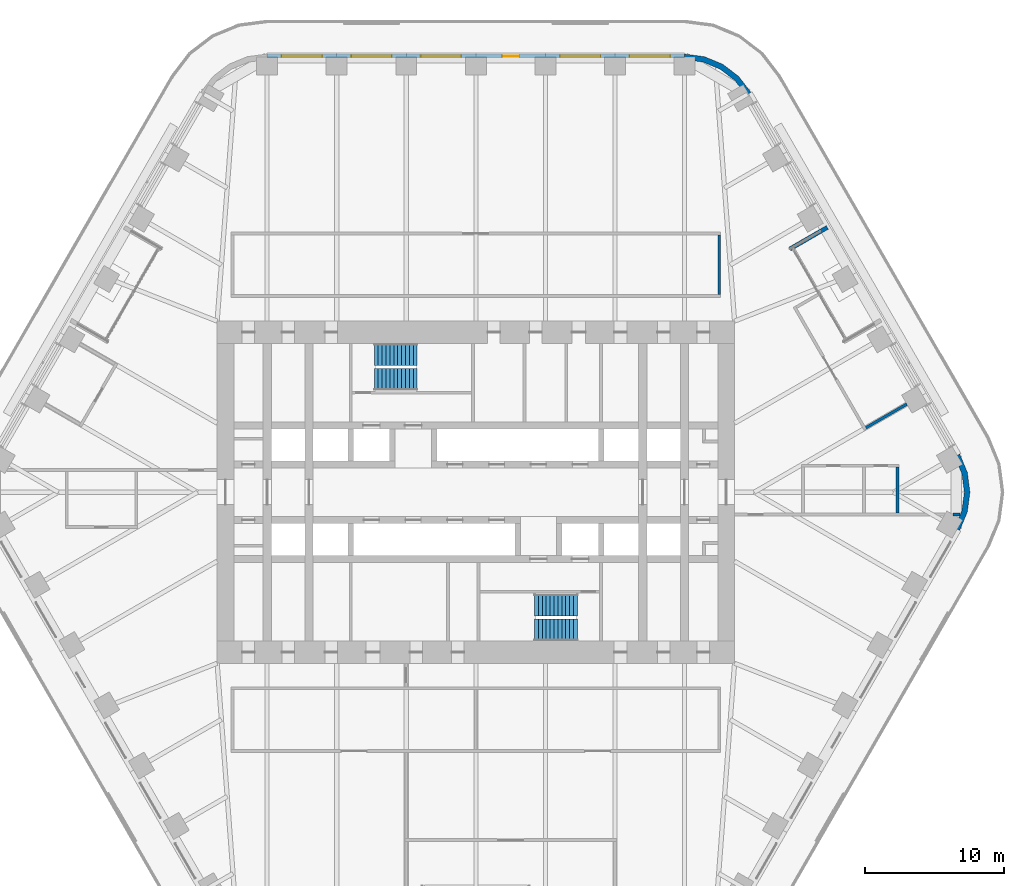
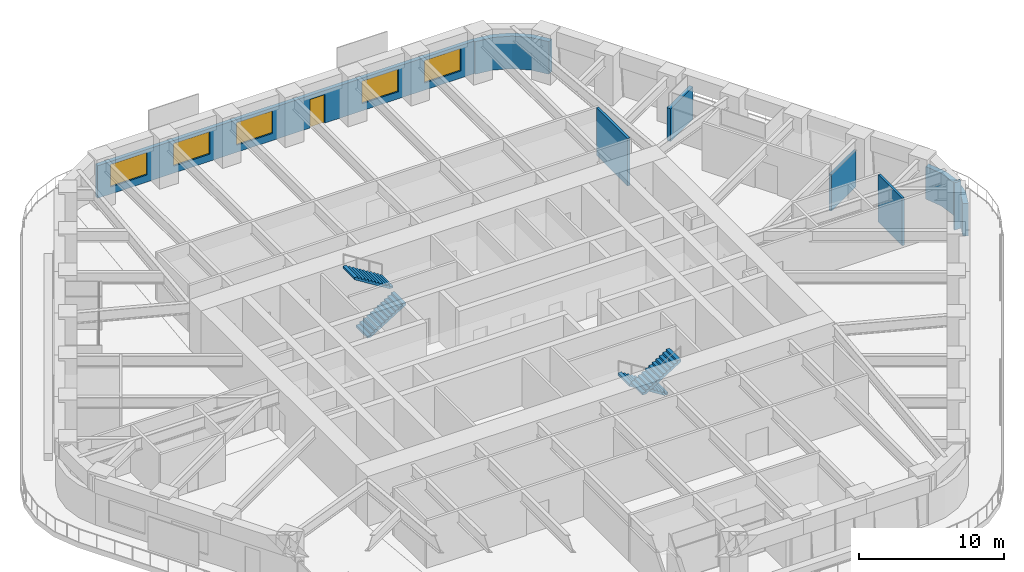
# One storey, part 21 of 24: 8 walls, 5 windows, 4 stair flights, 1 door, 6 openings, 2 elements without a shape of their own.
"""IFC4 building model written with IfcOpenShell, lengths in metres."""

from ifc_helpers import new_model, si_unit, direction, frame, frame_2d, origin, place, context, subcontext, project, spatial, polyline, rectangle, outline, extrude, material, layer, layer_set, type_object, element, fill, aggregate, save


model = new_model("IFC4")

# Units and contexts
model_context = context("Model", 3, precision=1e-05, world=origin(), true_north=direction((0.0, 1.0)))
body_context = subcontext(model_context, "Body", "Model", "MODEL_VIEW")
ifc_project = project(units=[si_unit("LENGTHUNIT", "METRE"), si_unit("AREAUNIT", "SQUARE_METRE"), si_unit("VOLUMEUNIT", "CUBIC_METRE"), si_unit("PLANEANGLEUNIT", "RADIAN"), si_unit("MASSUNIT", "GRAM", prefix="KILO")], contexts=[model_context])

# Site, building, storey
site_placement = place(None, origin())
site = spatial("IfcSite", under=ifc_project, at=site_placement, CompositionType="ELEMENT")
building_placement = place(site_placement, origin())
building = spatial("IfcBuilding", under=site, at=building_placement, Name="Tarfa Lantern Tower", CompositionType="ELEMENT")
storey_placement = place(building_placement, frame((0.0, 0.0, 182.5)))
storey = spatial("IfcBuildingStorey", under=building, at=storey_placement, Name="L41", CompositionType="ELEMENT", Elevation=182.5)

# Wall
ifc_material_1 = material(Name="Limestone cladding on blockwork", Category="masonry")
ifc_layer_1 = layer(ifc_material_1, 0.300048828125)
ifc_layer_set_1 = layer_set([ifc_layer_1], Name="EW1 STONE-CLAD WALL 300")
wall_type_1 = type_object("IfcWallType", Name="EW1 STONE-CLAD WALL 300", PredefinedType="SOLIDWALL", material=ifc_layer_set_1)
wall_1_placement = place(storey_placement, frame((25.266357421875, 19.037353515625, 0.0), z_axis=(0.0, 0.0, 1.0), x_axis=(-0.86600983753, -0.500026960575, 0.0)))
element("IfcWall", 1, at=wall_1_placement, inside=storey, type_object=wall_type_1, Name="Loggia return NE 2", PredefinedType="SOLIDWALL", context=body_context, shape_type="SweptSolid", body=[
    extrude(rectangle(XDim=3.099853515625, YDim=0.300048828125, at=frame_2d((1.5498046875, 0.0))), origin(), (0.0, 0.0, 1.0), 2.75),
])

# Wall, openings, door, windows
wall_2_placement = place(storey_placement, frame((15.010986328125, 31.35009765625, 0.0), z_axis=(0.0, 0.0, 1.0), x_axis=(-1.0, 0.0, 0.0)))
wall_2 = element("IfcWall", 2, at=wall_2_placement, inside=storey, type_object=wall_type_1, Name="Stone wall N", PredefinedType="SOLIDWALL", context=body_context, shape_type="SweptSolid", body=[
    extrude(rectangle(XDim=30.02197265625, YDim=0.300048828125, at=frame_2d((15.010986328125, 0.0))), origin(), (0.0, 0.0, 1.0), 2.75),
])
opening_1_placement = place(wall_2_placement, frame((1.0517578125, 0.0, 0.60009765625)))
opening_1 = element("IfcOpeningElement", 3, at=opening_1_placement, cuts=wall_2, Name="Opening W9", PredefinedType="OPENING", context=body_context, shape_type="SweptSolid", body=[
    extrude(rectangle(XDim=2.89990234375, YDim=1.89990234375, at=frame_2d((1.449951171875, 0.949951171875))), frame((0.0, 0.159912109375, 0.0), z_axis=(0.0, -1.0, 0.0), x_axis=(1.0, 0.0, 0.0)), (0.0, 0.0, 1.0), 0.320068359375),
])
opening_2_placement = place(wall_2_placement, frame((6.0556640625, 0.0, 0.60009765625)))
opening_2 = element("IfcOpeningElement", 4, at=opening_2_placement, cuts=wall_2, Name="Opening W9", PredefinedType="OPENING", context=body_context, shape_type="SweptSolid", body=[
    extrude(rectangle(XDim=2.89990234375, YDim=1.89990234375, at=frame_2d((1.449951171875, 0.949951171875))), frame((0.0, 0.159912109375, 0.0), z_axis=(0.0, -1.0, 0.0), x_axis=(1.0, 0.0, 0.0)), (0.0, 0.0, 1.0), 0.320068359375),
])
opening_3_placement = place(wall_2_placement, frame((11.9091796875, 0.0, 0.0)))
opening_3 = element("IfcOpeningElement", 5, at=opening_3_placement, cuts=wall_2, Name="Opening D45", PredefinedType="OPENING", context=body_context, shape_type="SweptSolid", body=[
    extrude(rectangle(XDim=1.199951171875, YDim=2.39990234375, at=frame_2d((0.60009765625, 1.199951171875))), frame((0.0, 0.159912109375, 0.0), z_axis=(0.0, -1.0, 0.0), x_axis=(1.0, 0.0, 0.0)), (0.0, 0.0, 1.0), 0.320068359375),
])
opening_4_placement = place(wall_2_placement, frame((16.06298828125, 0.0, 0.60009765625)))
opening_4 = element("IfcOpeningElement", 6, at=opening_4_placement, cuts=wall_2, Name="Opening W9", PredefinedType="OPENING", context=body_context, shape_type="SweptSolid", body=[
    extrude(rectangle(XDim=2.89990234375, YDim=1.89990234375, at=frame_2d((1.449951171875, 0.949951171875))), frame((0.0, 0.159912109375, 0.0), z_axis=(0.0, -1.0, 0.0), x_axis=(1.0, 0.0, 0.0)), (0.0, 0.0, 1.0), 0.320068359375),
])
opening_5_placement = place(wall_2_placement, frame((21.066650390625, 0.0, 0.60009765625)))
opening_5 = element("IfcOpeningElement", 7, at=opening_5_placement, cuts=wall_2, Name="Opening W9", PredefinedType="OPENING", context=body_context, shape_type="SweptSolid", body=[
    extrude(rectangle(XDim=2.89990234375, YDim=1.89990234375, at=frame_2d((1.449951171875, 0.949951171875))), frame((0.0, 0.159912109375, 0.0), z_axis=(0.0, -1.0, 0.0), x_axis=(1.0, 0.0, 0.0)), (0.0, 0.0, 1.0), 0.320068359375),
])
opening_6_placement = place(wall_2_placement, frame((26.0703125, 0.0, 0.60009765625)))
opening_6 = element("IfcOpeningElement", 8, at=opening_6_placement, cuts=wall_2, Name="Opening W9", PredefinedType="OPENING", context=body_context, shape_type="SweptSolid", body=[
    extrude(rectangle(XDim=2.89990234375, YDim=1.89990234375, at=frame_2d((1.449951171875, 0.949951171875))), frame((0.0, 0.159912109375, 0.0), z_axis=(0.0, -1.0, 0.0), x_axis=(1.0, 0.0, 0.0)), (0.0, 0.0, 1.0), 0.320068359375),
])
ifc_material_2 = material(Name="Aluminium framed glazed door", Category="aluminium")
door_type = type_object("IfcDoorType", Name="BE3 BALCONY DOOR 1200x2400", OperationType="SINGLE_SWING_RIGHT", PredefinedType="DOOR", material=ifc_material_2)
door_placement = place(opening_3_placement, origin())
door = element("IfcDoor", 9, at=door_placement, inside=storey, type_object=door_type, Name="Balcony door N", OperationType="SINGLE_SWING_RIGHT", OverallHeight=2.39990234375, OverallWidth=1.199951171875, PredefinedType="DOOR", context=body_context, shape_type="SweptSolid", body=[
    extrude(rectangle(XDim=1.199951171875, YDim=2.39990234375, at=frame_2d((0.60009765625, 1.199951171875))), frame((0.0, 0.02490234375, 0.0), z_axis=(0.0, -1.0, 0.0), x_axis=(1.0, 0.0, 0.0)), (0.0, 0.0, 1.0), 0.050048828125),
])
fill(opening_3, door)
ifc_material_3 = material(Name="Aluminium frame, double glazed", Category="aluminium")
window_type = type_object("IfcWindowType", Name="W9 FULL-HEIGHT GLAZING 2900x1900", PartitioningType="SINGLE_PANEL", PredefinedType="WINDOW", material=ifc_material_3)
window_1_placement = place(opening_1_placement, origin())
window_1 = element("IfcWindow", 10, at=window_1_placement, inside=storey, type_object=window_type, Name="Window N 1", OverallHeight=1.89990234375, OverallWidth=2.89990234375, PartitioningType="SINGLE_PANEL", PredefinedType="WINDOW", context=body_context, shape_type="SweptSolid", body=[
    extrude(rectangle(XDim=2.89990234375, YDim=1.89990234375, at=frame_2d((1.449951171875, 0.949951171875))), frame((0.0, 0.030029296875, 0.0), z_axis=(0.0, -1.0, 0.0), x_axis=(1.0, 0.0, 0.0)), (0.0, 0.0, 1.0), 0.06005859375),
])
fill(opening_1, window_1)
window_2_placement = place(opening_2_placement, origin())
window_2 = element("IfcWindow", 11, at=window_2_placement, inside=storey, type_object=window_type, Name="Window N 2", OverallHeight=1.89990234375, OverallWidth=2.89990234375, PartitioningType="SINGLE_PANEL", PredefinedType="WINDOW", context=body_context, shape_type="SweptSolid", body=[
    extrude(rectangle(XDim=2.89990234375, YDim=1.89990234375, at=frame_2d((1.449951171875, 0.949951171875))), frame((0.0, 0.030029296875, 0.0), z_axis=(0.0, -1.0, 0.0), x_axis=(1.0, 0.0, 0.0)), (0.0, 0.0, 1.0), 0.06005859375),
])
fill(opening_2, window_2)
window_3_placement = place(opening_4_placement, origin())
window_3 = element("IfcWindow", 12, at=window_3_placement, inside=storey, type_object=window_type, Name="Window N 4", OverallHeight=1.89990234375, OverallWidth=2.89990234375, PartitioningType="SINGLE_PANEL", PredefinedType="WINDOW", context=body_context, shape_type="SweptSolid", body=[
    extrude(rectangle(XDim=2.89990234375, YDim=1.89990234375, at=frame_2d((1.449951171875, 0.949951171875))), frame((0.0, 0.030029296875, 0.0), z_axis=(0.0, -1.0, 0.0), x_axis=(1.0, 0.0, 0.0)), (0.0, 0.0, 1.0), 0.06005859375),
])
fill(opening_4, window_3)
window_4_placement = place(opening_5_placement, origin())
window_4 = element("IfcWindow", 13, at=window_4_placement, inside=storey, type_object=window_type, Name="Window N 5", OverallHeight=1.89990234375, OverallWidth=2.89990234375, PartitioningType="SINGLE_PANEL", PredefinedType="WINDOW", context=body_context, shape_type="SweptSolid", body=[
    extrude(rectangle(XDim=2.89990234375, YDim=1.89990234375, at=frame_2d((1.449951171875, 0.949951171875))), frame((0.0, 0.030029296875, 0.0), z_axis=(0.0, -1.0, 0.0), x_axis=(1.0, 0.0, 0.0)), (0.0, 0.0, 1.0), 0.06005859375),
])
fill(opening_5, window_4)
window_5_placement = place(opening_6_placement, origin())
window_5 = element("IfcWindow", 14, at=window_5_placement, inside=storey, type_object=window_type, Name="Window N 6", OverallHeight=1.89990234375, OverallWidth=2.89990234375, PartitioningType="SINGLE_PANEL", PredefinedType="WINDOW", context=body_context, shape_type="SweptSolid", body=[
    extrude(rectangle(XDim=2.89990234375, YDim=1.89990234375, at=frame_2d((1.449951171875, 0.949951171875))), frame((0.0, 0.030029296875, 0.0), z_axis=(0.0, -1.0, 0.0), x_axis=(1.0, 0.0, 0.0)), (0.0, 0.0, 1.0), 0.06005859375),
])
fill(opening_6, window_5)

# Walls
ifc_layer_2 = layer(ifc_material_1, 0.39990234375)
ifc_layer_set_2 = layer_set([ifc_layer_2], Name="EW2 CURVED STONE CORNER 400")
wall_type_2 = type_object("IfcWallType", Name="EW2 CURVED STONE CORNER 400", PredefinedType="SOLIDWALL", material=ifc_layer_set_2)
wall_3_placement = place(storey_placement, origin())
element("IfcWall", 15, at=wall_3_placement, inside=storey, type_object=wall_type_2, Name="Stone corner NE-N", PredefinedType="SOLIDWALL", context=body_context, shape_type="SweptSolid", body=[
    extrude(outline(polyline([(19.774169921875, 28.75), (18.900146484375, 29.88916015625), (17.760986328125, 30.76318359375), (16.4345703125, 31.3125), (15.010986328125, 31.5), (15.010986328125, 31.10009765625), (16.3310546875, 30.92626953125), (17.56103515625, 30.416748046875), (18.617431640625, 29.606201171875), (19.427734375, 28.550048828125), (19.774169921875, 28.75)])), origin(), (0.0, 0.0, 1.0), 2.75),
])
wall_4_placement = place(storey_placement, origin())
element("IfcWall", 16, at=wall_4_placement, inside=storey, type_object=wall_type_2, Name="Stone corner SE-NE", PredefinedType="SOLIDWALL", context=body_context, shape_type="SweptSolid", body=[
    extrude(outline(polyline([(34.785400390625, -2.75), (35.334716796875, -1.423583984375), (35.522216796875, 0.0), (35.334716796875, 1.423583984375), (34.785400390625, 2.75), (34.43896484375, 2.550048828125), (34.948486328125, 1.320068359375), (35.122314453125, 0.0), (34.948486328125, -1.320068359375), (34.43896484375, -2.550048828125), (34.785400390625, -2.75)])), origin(), (0.0, 0.0, 1.0), 2.75),
])
ifc_material_4 = material(Name="Gypsum board on steel studs", Category="steel")
ifc_layer_3 = layer(ifc_material_4, 0.2099609375)
ifc_layer_set_3 = layer_set([ifc_layer_3], Name="IW2 ACOUSTIC PARTITION 200")
wall_type_3 = type_object("IfcWallType", Name="IW2 ACOUSTIC PARTITION 200", PredefinedType="PARTITIONING", material=ifc_layer_set_3)
wall_5_placement = place(storey_placement, frame((17.5, 14.199951171875, 0.0), z_axis=(0.0, 0.0, 1.0), x_axis=(0.0, 1.0, 0.0)))
element("IfcWall", 17, at=wall_5_placement, inside=storey, type_object=wall_type_3, Name="Partition", PredefinedType="PARTITIONING", context=body_context, shape_type="SweptSolid", body=[
    extrude(rectangle(XDim=4.300048828125, YDim=0.199951171875, at=frame_2d((2.14990234375, 0.0))), origin(), (0.0, 0.0, 1.0), 4.0),
])
wall_6_placement = place(storey_placement, frame((28.0400390625, 4.63330078125, 0.0), z_axis=(0.0, 0.0, 1.0), x_axis=(0.866020560687, 0.500008388397, 0.0)))
element("IfcWall", 18, at=wall_6_placement, inside=storey, type_object=wall_type_3, Name="Partition", PredefinedType="PARTITIONING", context=body_context, shape_type="SweptSolid", body=[
    extrude(rectangle(XDim=3.39990234375, YDim=0.199951171875, at=frame_2d((1.699951171875, 0.0))), origin(), (0.0, 0.0, 1.0), 3.08154296875),
])
wall_7_placement = place(storey_placement, frame((34.29345703125, -1.60009765625, 0.0), z_axis=(0.0, 0.0, 1.0), x_axis=(1.0, 0.0, 0.0)))
element("IfcWall", 19, at=wall_7_placement, inside=storey, type_object=wall_type_3, Name="Partition", PredefinedType="PARTITIONING", context=body_context, shape_type="SweptSolid", body=[
    extrude(rectangle(XDim=0.497802734375, YDim=0.199951171875, at=frame_2d((0.2490234375, 0.0))), origin(), (0.0, 0.0, 1.0), 4.0),
])
wall_8_placement = place(storey_placement, frame((30.314453125, -1.5, 0.0), z_axis=(0.0, 0.0, 1.0), x_axis=(0.0, 1.0, 0.0)))
element("IfcWall", 20, at=wall_8_placement, inside=storey, type_object=wall_type_3, Name="Partition", PredefinedType="PARTITIONING", context=body_context, shape_type="SweptSolid", body=[
    extrude(rectangle(XDim=3.300048828125, YDim=0.199951171875, at=frame_2d((1.64990234375, 0.0))), origin(), (0.0, 0.0, 1.0), 4.0),
])

# Stair, stair flights
ifc_material_5 = material(Name="Concrete C40/50", Category="concrete")
stair_type = type_object("IfcStairType", Name="ST-T10 HALF-TURN STAIR 4200 RISE", PredefinedType="HALF_TURN_STAIR", material=ifc_material_5)
stair_1_placement = place(storey_placement, origin())
stair_1 = element("IfcStair", 21, at=stair_1_placement, inside=storey, type_object=stair_type, Name="Stair ST1", PredefinedType="HALF_TURN_STAIR")
stair_flight_type = type_object("IfcStairFlightType", Name="SF1 STAIR FLIGHT", PredefinedType="STRAIGHT", material=ifc_material_5)
stair_flight_1_placement = place(storey_placement, frame((-7.300048828125, 8.10009765625, 0.0), z_axis=(0.0, 0.0, 1.0), x_axis=(1.0, 0.0, 0.0)))
stair_flight_1 = element("IfcStairFlight", 22, at=stair_flight_1_placement, type_object=stair_flight_type, Name="ST1 flight 1", NumberOfRisers=12, NumberOfTreads=11, PredefinedType="STRAIGHT", RiserHeight=0.175, TreadLength=0.28, context=body_context, shape_type="SweptSolid", body=[
    extrude(outline(polyline([(0.0, 0.0), (0.0, 0.175048828125), (0.280029296875, 0.175048828125), (0.280029296875, 0.35009765625), (0.56005859375, 0.35009765625), (0.56005859375, 0.52490234375), (0.840087890625, 0.52490234375), (0.840087890625, 0.699951171875), (1.1201171875, 0.699951171875), (1.1201171875, 0.875), (1.39990234375, 0.875), (1.39990234375, 1.050048828125), (1.679931640625, 1.050048828125), (1.679931640625, 1.22509765625), (1.9599609375, 1.22509765625), (1.9599609375, 1.39990234375), (2.239990234375, 1.39990234375), (2.239990234375, 1.574951171875), (2.52001953125, 1.574951171875), (2.52001953125, 1.75), (2.800048828125, 1.75), (2.800048828125, 1.925048828125), (3.080078125, 1.925048828125), (3.080078125, 2.10009765625), (3.080078125, 1.748291015625), (0.28271484375, 0.0), (0.0, 0.0)])), frame((0.0, 0.800048828125, 0.0), z_axis=(0.0, -1.0, 0.0), x_axis=(1.0, 0.0, 0.0)), (0.0, 0.0, 1.0), 1.60009765625),
])
stair_flight_2_placement = place(storey_placement, frame((-4.219970703125, 9.89990234375, 2.10009765625), z_axis=(0.0, 0.0, 1.0), x_axis=(-1.0, 0.0, 0.0)))
stair_flight_2 = element("IfcStairFlight", 23, at=stair_flight_2_placement, type_object=stair_flight_type, Name="ST1 flight 2", NumberOfRisers=12, NumberOfTreads=11, PredefinedType="STRAIGHT", RiserHeight=0.175, TreadLength=0.28, context=body_context, shape_type="SweptSolid", body=[
    extrude(outline(polyline([(0.0, 0.0), (0.0, 0.175048828125), (0.280029296875, 0.175048828125), (0.280029296875, 0.35009765625), (0.56005859375, 0.35009765625), (0.56005859375, 0.52490234375), (0.840087890625, 0.52490234375), (0.840087890625, 0.699951171875), (1.1201171875, 0.699951171875), (1.1201171875, 0.875), (1.39990234375, 0.875), (1.39990234375, 1.050048828125), (1.679931640625, 1.050048828125), (1.679931640625, 1.22509765625), (1.9599609375, 1.22509765625), (1.9599609375, 1.39990234375), (2.239990234375, 1.39990234375), (2.239990234375, 1.574951171875), (2.52001953125, 1.574951171875), (2.52001953125, 1.75), (2.800048828125, 1.75), (2.800048828125, 1.925048828125), (3.080078125, 1.925048828125), (3.080078125, 2.10009765625), (3.080078125, 1.748291015625), (0.28271484375, 0.0), (0.0, 0.0)])), frame((0.0, 0.800048828125, 0.0), z_axis=(0.0, -1.0, 0.0), x_axis=(1.0, 0.0, 0.0)), (0.0, 0.0, 1.0), 1.60009765625),
])
aggregate(stair_1, [stair_flight_1, stair_flight_2])

stair_2_placement = place(storey_placement, origin())
stair_2 = element("IfcStair", 24, at=stair_2_placement, inside=storey, type_object=stair_type, Name="Stair ST2", PredefinedType="HALF_TURN_STAIR")
stair_flight_3_placement = place(storey_placement, frame((7.300048828125, -8.10009765625, 0.0), z_axis=(0.0, 0.0, 1.0), x_axis=(-1.0, 0.0, 0.0)))
stair_flight_3 = element("IfcStairFlight", 25, at=stair_flight_3_placement, type_object=stair_flight_type, Name="ST2 flight 1", NumberOfRisers=12, NumberOfTreads=11, PredefinedType="STRAIGHT", RiserHeight=0.175, TreadLength=0.28, context=body_context, shape_type="SweptSolid", body=[
    extrude(outline(polyline([(0.0, 0.0), (0.0, 0.175048828125), (0.280029296875, 0.175048828125), (0.280029296875, 0.35009765625), (0.56005859375, 0.35009765625), (0.56005859375, 0.52490234375), (0.840087890625, 0.52490234375), (0.840087890625, 0.699951171875), (1.1201171875, 0.699951171875), (1.1201171875, 0.875), (1.39990234375, 0.875), (1.39990234375, 1.050048828125), (1.679931640625, 1.050048828125), (1.679931640625, 1.22509765625), (1.9599609375, 1.22509765625), (1.9599609375, 1.39990234375), (2.239990234375, 1.39990234375), (2.239990234375, 1.574951171875), (2.52001953125, 1.574951171875), (2.52001953125, 1.75), (2.800048828125, 1.75), (2.800048828125, 1.925048828125), (3.080078125, 1.925048828125), (3.080078125, 2.10009765625), (3.080078125, 1.748291015625), (0.28271484375, 0.0), (0.0, 0.0)])), frame((0.0, 0.800048828125, 0.0), z_axis=(0.0, -1.0, 0.0), x_axis=(1.0, 0.0, 0.0)), (0.0, 0.0, 1.0), 1.60009765625),
])
stair_flight_4_placement = place(storey_placement, frame((4.219970703125, -9.89990234375, 2.10009765625), z_axis=(0.0, 0.0, 1.0), x_axis=(1.0, 0.0, 0.0)))
stair_flight_4 = element("IfcStairFlight", 26, at=stair_flight_4_placement, type_object=stair_flight_type, Name="ST2 flight 2", NumberOfRisers=12, NumberOfTreads=11, PredefinedType="STRAIGHT", RiserHeight=0.175, TreadLength=0.28, context=body_context, shape_type="SweptSolid", body=[
    extrude(outline(polyline([(0.0, 0.0), (0.0, 0.175048828125), (0.280029296875, 0.175048828125), (0.280029296875, 0.35009765625), (0.56005859375, 0.35009765625), (0.56005859375, 0.52490234375), (0.840087890625, 0.52490234375), (0.840087890625, 0.699951171875), (1.1201171875, 0.699951171875), (1.1201171875, 0.875), (1.39990234375, 0.875), (1.39990234375, 1.050048828125), (1.679931640625, 1.050048828125), (1.679931640625, 1.22509765625), (1.9599609375, 1.22509765625), (1.9599609375, 1.39990234375), (2.239990234375, 1.39990234375), (2.239990234375, 1.574951171875), (2.52001953125, 1.574951171875), (2.52001953125, 1.75), (2.800048828125, 1.75), (2.800048828125, 1.925048828125), (3.080078125, 1.925048828125), (3.080078125, 2.10009765625), (3.080078125, 1.748291015625), (0.28271484375, 0.0), (0.0, 0.0)])), frame((0.0, 0.800048828125, 0.0), z_axis=(0.0, -1.0, 0.0), x_axis=(1.0, 0.0, 0.0)), (0.0, 0.0, 1.0), 1.60009765625),
])
aggregate(stair_2, [stair_flight_3, stair_flight_4])

save(model, "model.ifc")
